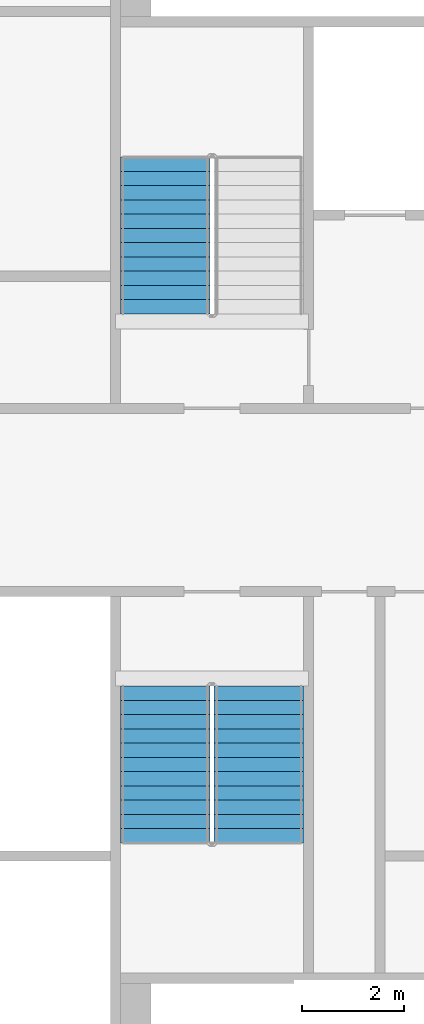
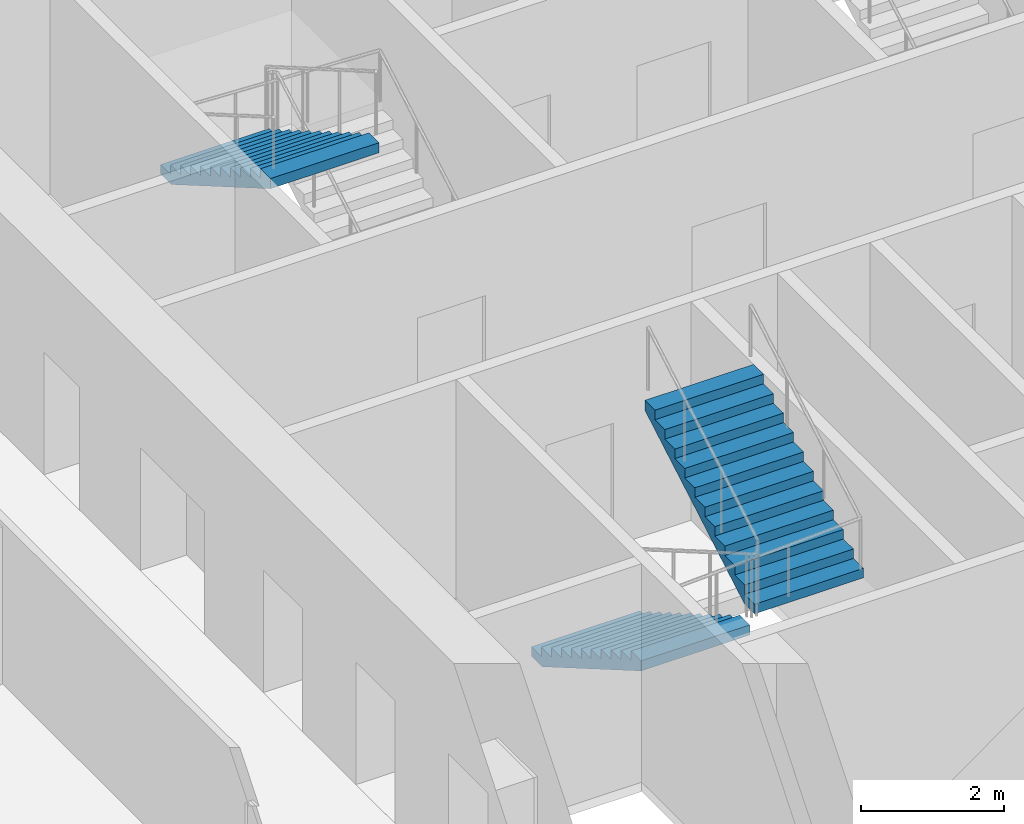
# One storey, part 15 of 23: 3 stair flights, 2 elements without a shape of their own.
"""IFC4 building model written with IfcOpenShell, lengths in metres."""

from ifc_helpers import new_model, si_unit, direction, frame, origin, place, context, subcontext, project, spatial, faceted_brep, material, type_object, element, aggregate, save


model = new_model("IFC4")

# Units and contexts
model_context = context("Model", 3, precision=1e-05, world=origin(), true_north=direction((0.0, 1.0)))
body_context = subcontext(model_context, "Body", "Model", "MODEL_VIEW")
ifc_project = project(units=[si_unit("LENGTHUNIT", "METRE"), si_unit("AREAUNIT", "SQUARE_METRE"), si_unit("VOLUMEUNIT", "CUBIC_METRE"), si_unit("PLANEANGLEUNIT", "RADIAN"), si_unit("MASSUNIT", "GRAM", prefix="KILO")], contexts=[model_context])

# Site, building, storey
site_placement = place(None, origin())
site = spatial("IfcSite", under=ifc_project, at=site_placement, CompositionType="ELEMENT")
building_placement = place(site_placement, origin())
building = spatial("IfcBuilding", under=site, at=building_placement, Name="Tarsis Ring Headquarters", CompositionType="ELEMENT")
storey_placement = place(building_placement, frame((0.0, 0.0, 131.800048828125)))
storey = spatial("IfcBuildingStorey", under=building, at=storey_placement, Name="L30", CompositionType="ELEMENT", Elevation=131.800048828125)

# Stair, stair flight
ifc_material_1 = material(Name="Core stair 1760")
stair_type = type_object("IfcStairType", Name="Core stair 1760", PredefinedType="HALF_TURN_STAIR", material=ifc_material_1)
stair_1_placement = place(storey_placement, origin())
stair_1 = element("IfcStair", 1, at=stair_1_placement, inside=storey, type_object=stair_type, Name="L30 Firefighting stair", PredefinedType="HALF_TURN_STAIR")
ifc_material_2 = material(Name="Concrete C40/50", Category="concrete")
stair_flight_type = type_object("IfcStairFlightType", Name="Core stair flight 1760", PredefinedType="STRAIGHT", material=ifc_material_2)
stair_flight_1_placement = place(storey_placement, frame((-5.419921875, 6.739990234375, 1.949951171875), z_axis=(0.0, 0.0, 1.0), x_axis=(0.0, -1.0, 0.0)))
stair_flight_1 = element("IfcStairFlight", 2, at=stair_flight_1_placement, type_object=stair_flight_type, Name="Stair ST1 flight 2", NumberOfRisers=12, NumberOfTreads=11, PredefinedType="STRAIGHT", RiserHeight=0.1625, TreadLength=0.28, context=body_context, shape_type="Brep", body=[
    faceted_brep([(0.0, 0.8798828125, 0.0), (0.0, 0.8798828125, 0.16259765625), (0.280029296875, 0.8798828125, 0.16259765625), (0.280029296875, 0.8798828125, 0.324951171875), (0.56005859375, 0.8798828125, 0.324951171875), (0.56005859375, 0.8798828125, 0.487548828125), (0.840087890625, 0.8798828125, 0.487548828125), (0.840087890625, 0.8798828125, 0.64990234375), (1.1201171875, 0.8798828125, 0.64990234375), (1.1201171875, 0.8798828125, 0.8125), (1.39990234375, 0.8798828125, 0.8125), (1.39990234375, 0.8798828125, 0.97509765625), (1.679931640625, 0.8798828125, 0.97509765625), (1.679931640625, 0.8798828125, 1.137451171875), (1.9599609375, 0.8798828125, 1.137451171875), (1.9599609375, 0.8798828125, 1.300048828125), (2.239990234375, 0.8798828125, 1.300048828125), (2.239990234375, 0.8798828125, 1.46240234375), (2.52001953125, 0.8798828125, 1.46240234375), (2.52001953125, 0.8798828125, 1.625), (2.800048828125, 0.8798828125, 1.625), (2.800048828125, 0.8798828125, 1.78759765625), (3.080078125, 0.8798828125, 1.78759765625), (3.080078125, 0.8798828125, 1.6142578125), (0.298583984375, 0.8798828125, 0.0), (0.298583984375, -0.8798828125, 0.0), (3.080078125, -0.8798828125, 1.6142578125), (3.080078125, -0.8798828125, 1.78759765625), (2.800048828125, -0.8798828125, 1.78759765625), (2.800048828125, -0.8798828125, 1.625), (2.52001953125, -0.8798828125, 1.625), (2.52001953125, -0.8798828125, 1.46240234375), (2.239990234375, -0.8798828125, 1.46240234375), (2.239990234375, -0.8798828125, 1.300048828125), (1.9599609375, -0.8798828125, 1.300048828125), (1.9599609375, -0.8798828125, 1.137451171875), (1.679931640625, -0.8798828125, 1.137451171875), (1.679931640625, -0.8798828125, 0.97509765625), (1.39990234375, -0.8798828125, 0.97509765625), (1.39990234375, -0.8798828125, 0.8125), (1.1201171875, -0.8798828125, 0.8125), (1.1201171875, -0.8798828125, 0.64990234375), (0.840087890625, -0.8798828125, 0.64990234375), (0.840087890625, -0.8798828125, 0.487548828125), (0.56005859375, -0.8798828125, 0.487548828125), (0.56005859375, -0.8798828125, 0.324951171875), (0.280029296875, -0.8798828125, 0.324951171875), (0.280029296875, -0.8798828125, 0.16259765625), (0.0, -0.8798828125, 0.16259765625), (0.0, -0.8798828125, 0.0), (0.0, -0.43994140625, 0.16259765625), (0.0, -0.43994140625, 0.0), (0.0, 0.0, 0.16259765625), (0.0, 0.0, 0.0), (0.0, 0.43994140625, 0.16259765625), (0.0, 0.43994140625, 0.0), (0.280029296875, -0.43994140625, 0.16259765625), (0.280029296875, 0.0, 0.16259765625), (0.280029296875, 0.43994140625, 0.16259765625), (0.280029296875, -0.43994140625, 0.324951171875), (0.280029296875, 0.0, 0.324951171875), (0.280029296875, 0.43994140625, 0.324951171875), (0.56005859375, -0.43994140625, 0.324951171875), (0.56005859375, 0.0, 0.324951171875), (0.56005859375, 0.43994140625, 0.324951171875), (0.56005859375, -0.43994140625, 0.487548828125), (0.56005859375, 0.0, 0.487548828125), (0.56005859375, 0.43994140625, 0.487548828125), (0.840087890625, -0.43994140625, 0.487548828125), (0.840087890625, 0.0, 0.487548828125), (0.840087890625, 0.43994140625, 0.487548828125), (0.840087890625, -0.43994140625, 0.64990234375), (0.840087890625, 0.0, 0.64990234375), (0.840087890625, 0.43994140625, 0.64990234375), (1.1201171875, -0.43994140625, 0.64990234375), (1.1201171875, 0.0, 0.64990234375), (1.1201171875, 0.43994140625, 0.64990234375), (1.1201171875, -0.43994140625, 0.8125), (1.1201171875, 0.0, 0.8125), (1.1201171875, 0.43994140625, 0.8125), (1.39990234375, -0.43994140625, 0.8125), (1.39990234375, 0.0, 0.8125), (1.39990234375, 0.43994140625, 0.8125), (1.39990234375, -0.43994140625, 0.97509765625), (1.39990234375, 0.0, 0.97509765625), (1.39990234375, 0.43994140625, 0.97509765625), (1.679931640625, -0.43994140625, 0.97509765625), (1.679931640625, 0.0, 0.97509765625), (1.679931640625, 0.43994140625, 0.97509765625), (1.679931640625, -0.43994140625, 1.137451171875), (1.679931640625, 0.0, 1.137451171875), (1.679931640625, 0.43994140625, 1.137451171875), (1.9599609375, -0.43994140625, 1.137451171875), (1.9599609375, 0.0, 1.137451171875), (1.9599609375, 0.43994140625, 1.137451171875), (1.9599609375, -0.43994140625, 1.300048828125), (1.9599609375, 0.0, 1.300048828125), (1.9599609375, 0.43994140625, 1.300048828125), (2.239990234375, -0.43994140625, 1.300048828125), (2.239990234375, 0.0, 1.300048828125), (2.239990234375, 0.43994140625, 1.300048828125), (2.239990234375, -0.43994140625, 1.46240234375), (2.239990234375, 0.0, 1.46240234375), (2.239990234375, 0.43994140625, 1.46240234375), (2.52001953125, -0.43994140625, 1.46240234375), (2.52001953125, 0.0, 1.46240234375), (2.52001953125, 0.43994140625, 1.46240234375), (2.52001953125, -0.43994140625, 1.625), (2.52001953125, 0.0, 1.625), (2.52001953125, 0.43994140625, 1.625), (2.800048828125, -0.43994140625, 1.625), (2.800048828125, 0.0, 1.625), (2.800048828125, 0.43994140625, 1.625), (2.800048828125, -0.43994140625, 1.78759765625), (2.800048828125, 0.0, 1.78759765625), (2.800048828125, 0.43994140625, 1.78759765625), (3.080078125, -0.43994140625, 1.78759765625), (3.080078125, 0.0, 1.78759765625), (3.080078125, 0.43994140625, 1.78759765625), (3.080078125, -0.43994140625, 1.6142578125), (3.080078125, 0.0, 1.6142578125), (3.080078125, 0.43994140625, 1.6142578125), (0.298583984375, -0.43994140625, 0.0), (0.298583984375, 0.0, 0.0), (0.298583984375, 0.43994140625, 0.0)], [[[0, 1, 2, 3, 4, 5, 6, 7, 8, 9, 10, 11, 12, 13, 14, 15, 16, 17, 18, 19, 20, 21, 22, 23, 24]], [[25, 26, 27, 28, 29, 30, 31, 32, 33, 34, 35, 36, 37, 38, 39, 40, 41, 42, 43, 44, 45, 46, 47, 48, 49]], [[49, 48, 50, 51]], [[51, 50, 52, 53]], [[53, 52, 54, 55]], [[55, 54, 1, 0]], [[48, 47, 56, 50]], [[50, 56, 57, 52]], [[52, 57, 58, 54]], [[54, 58, 2, 1]], [[47, 46, 59, 56]], [[56, 59, 60, 57]], [[57, 60, 61, 58]], [[58, 61, 3, 2]], [[46, 45, 62, 59]], [[59, 62, 63, 60]], [[60, 63, 64, 61]], [[61, 64, 4, 3]], [[45, 44, 65, 62]], [[62, 65, 66, 63]], [[63, 66, 67, 64]], [[64, 67, 5, 4]], [[44, 43, 68, 65]], [[65, 68, 69, 66]], [[66, 69, 70, 67]], [[67, 70, 6, 5]], [[43, 42, 71, 68]], [[68, 71, 72, 69]], [[69, 72, 73, 70]], [[70, 73, 7, 6]], [[42, 41, 74, 71]], [[71, 74, 75, 72]], [[72, 75, 76, 73]], [[73, 76, 8, 7]], [[41, 40, 77, 74]], [[74, 77, 78, 75]], [[75, 78, 79, 76]], [[76, 79, 9, 8]], [[40, 39, 80, 77]], [[77, 80, 81, 78]], [[78, 81, 82, 79]], [[79, 82, 10, 9]], [[39, 38, 83, 80]], [[80, 83, 84, 81]], [[81, 84, 85, 82]], [[82, 85, 11, 10]], [[38, 37, 86, 83]], [[83, 86, 87, 84]], [[84, 87, 88, 85]], [[85, 88, 12, 11]], [[37, 36, 89, 86]], [[86, 89, 90, 87]], [[87, 90, 91, 88]], [[88, 91, 13, 12]], [[36, 35, 92, 89]], [[89, 92, 93, 90]], [[90, 93, 94, 91]], [[91, 94, 14, 13]], [[35, 34, 95, 92]], [[92, 95, 96, 93]], [[93, 96, 97, 94]], [[94, 97, 15, 14]], [[34, 33, 98, 95]], [[95, 98, 99, 96]], [[96, 99, 100, 97]], [[97, 100, 16, 15]], [[33, 32, 101, 98]], [[98, 101, 102, 99]], [[99, 102, 103, 100]], [[100, 103, 17, 16]], [[32, 31, 104, 101]], [[101, 104, 105, 102]], [[102, 105, 106, 103]], [[103, 106, 18, 17]], [[31, 30, 107, 104]], [[104, 107, 108, 105]], [[105, 108, 109, 106]], [[106, 109, 19, 18]], [[30, 29, 110, 107]], [[107, 110, 111, 108]], [[108, 111, 112, 109]], [[109, 112, 20, 19]], [[29, 28, 113, 110]], [[110, 113, 114, 111]], [[111, 114, 115, 112]], [[112, 115, 21, 20]], [[28, 27, 116, 113]], [[113, 116, 117, 114]], [[114, 117, 118, 115]], [[115, 118, 22, 21]], [[27, 26, 119, 116]], [[116, 119, 120, 117]], [[117, 120, 121, 118]], [[118, 121, 23, 22]], [[26, 25, 122, 119]], [[119, 122, 123, 120]], [[120, 123, 124, 121]], [[121, 124, 24, 23]], [[25, 49, 51, 122]], [[122, 51, 53, 123]], [[123, 53, 55, 124]], [[124, 55, 0, 24]]]),
])
aggregate(stair_1, [stair_flight_1])

# Stair, stair flights
stair_2_placement = place(storey_placement, origin())
stair_2 = element("IfcStair", 3, at=stair_2_placement, inside=storey, type_object=stair_type, Name="L30 Exit stair C", PredefinedType="HALF_TURN_STAIR")
stair_flight_2_placement = place(storey_placement, frame((-5.419921875, -3.659912109375, 0.0), z_axis=(0.0, 0.0, 1.0), x_axis=(0.0, -1.0, 0.0)))
stair_flight_2 = element("IfcStairFlight", 4, at=stair_flight_2_placement, type_object=stair_flight_type, Name="Stair ST3 flight 1", NumberOfRisers=12, NumberOfTreads=11, PredefinedType="STRAIGHT", RiserHeight=0.1625, TreadLength=0.28, context=body_context, shape_type="Brep", body=[
    faceted_brep([(0.0, 0.8798828125, 0.0), (0.0, 0.8798828125, 0.16259765625), (0.280029296875, 0.8798828125, 0.16259765625), (0.280029296875, 0.8798828125, 0.324951171875), (0.56005859375, 0.8798828125, 0.324951171875), (0.56005859375, 0.8798828125, 0.487548828125), (0.840087890625, 0.8798828125, 0.487548828125), (0.840087890625, 0.8798828125, 0.64990234375), (1.1201171875, 0.8798828125, 0.64990234375), (1.1201171875, 0.8798828125, 0.8125), (1.39990234375, 0.8798828125, 0.8125), (1.39990234375, 0.8798828125, 0.97509765625), (1.679931640625, 0.8798828125, 0.97509765625), (1.679931640625, 0.8798828125, 1.137451171875), (1.9599609375, 0.8798828125, 1.137451171875), (1.9599609375, 0.8798828125, 1.300048828125), (2.239990234375, 0.8798828125, 1.300048828125), (2.239990234375, 0.8798828125, 1.46240234375), (2.52001953125, 0.8798828125, 1.46240234375), (2.52001953125, 0.8798828125, 1.625), (2.800048828125, 0.8798828125, 1.625), (2.800048828125, 0.8798828125, 1.78759765625), (3.080078125, 0.8798828125, 1.78759765625), (3.080078125, 0.8798828125, 1.6142578125), (0.298583984375, 0.8798828125, 0.0), (0.298583984375, -0.8798828125, 0.0), (3.080078125, -0.8798828125, 1.6142578125), (3.080078125, -0.8798828125, 1.78759765625), (2.800048828125, -0.8798828125, 1.78759765625), (2.800048828125, -0.8798828125, 1.625), (2.52001953125, -0.8798828125, 1.625), (2.52001953125, -0.8798828125, 1.46240234375), (2.239990234375, -0.8798828125, 1.46240234375), (2.239990234375, -0.8798828125, 1.300048828125), (1.9599609375, -0.8798828125, 1.300048828125), (1.9599609375, -0.8798828125, 1.137451171875), (1.679931640625, -0.8798828125, 1.137451171875), (1.679931640625, -0.8798828125, 0.97509765625), (1.39990234375, -0.8798828125, 0.97509765625), (1.39990234375, -0.8798828125, 0.8125), (1.1201171875, -0.8798828125, 0.8125), (1.1201171875, -0.8798828125, 0.64990234375), (0.840087890625, -0.8798828125, 0.64990234375), (0.840087890625, -0.8798828125, 0.487548828125), (0.56005859375, -0.8798828125, 0.487548828125), (0.56005859375, -0.8798828125, 0.324951171875), (0.280029296875, -0.8798828125, 0.324951171875), (0.280029296875, -0.8798828125, 0.16259765625), (0.0, -0.8798828125, 0.16259765625), (0.0, -0.8798828125, 0.0), (0.0, -0.43994140625, 0.16259765625), (0.0, -0.43994140625, 0.0), (0.0, 0.0, 0.16259765625), (0.0, 0.0, 0.0), (0.0, 0.43994140625, 0.16259765625), (0.0, 0.43994140625, 0.0), (0.280029296875, -0.43994140625, 0.16259765625), (0.280029296875, 0.0, 0.16259765625), (0.280029296875, 0.43994140625, 0.16259765625), (0.280029296875, -0.43994140625, 0.324951171875), (0.280029296875, 0.0, 0.324951171875), (0.280029296875, 0.43994140625, 0.324951171875), (0.56005859375, -0.43994140625, 0.324951171875), (0.56005859375, 0.0, 0.324951171875), (0.56005859375, 0.43994140625, 0.324951171875), (0.56005859375, -0.43994140625, 0.487548828125), (0.56005859375, 0.0, 0.487548828125), (0.56005859375, 0.43994140625, 0.487548828125), (0.840087890625, -0.43994140625, 0.487548828125), (0.840087890625, 0.0, 0.487548828125), (0.840087890625, 0.43994140625, 0.487548828125), (0.840087890625, -0.43994140625, 0.64990234375), (0.840087890625, 0.0, 0.64990234375), (0.840087890625, 0.43994140625, 0.64990234375), (1.1201171875, -0.43994140625, 0.64990234375), (1.1201171875, 0.0, 0.64990234375), (1.1201171875, 0.43994140625, 0.64990234375), (1.1201171875, -0.43994140625, 0.8125), (1.1201171875, 0.0, 0.8125), (1.1201171875, 0.43994140625, 0.8125), (1.39990234375, -0.43994140625, 0.8125), (1.39990234375, 0.0, 0.8125), (1.39990234375, 0.43994140625, 0.8125), (1.39990234375, -0.43994140625, 0.97509765625), (1.39990234375, 0.0, 0.97509765625), (1.39990234375, 0.43994140625, 0.97509765625), (1.679931640625, -0.43994140625, 0.97509765625), (1.679931640625, 0.0, 0.97509765625), (1.679931640625, 0.43994140625, 0.97509765625), (1.679931640625, -0.43994140625, 1.137451171875), (1.679931640625, 0.0, 1.137451171875), (1.679931640625, 0.43994140625, 1.137451171875), (1.9599609375, -0.43994140625, 1.137451171875), (1.9599609375, 0.0, 1.137451171875), (1.9599609375, 0.43994140625, 1.137451171875), (1.9599609375, -0.43994140625, 1.300048828125), (1.9599609375, 0.0, 1.300048828125), (1.9599609375, 0.43994140625, 1.300048828125), (2.239990234375, -0.43994140625, 1.300048828125), (2.239990234375, 0.0, 1.300048828125), (2.239990234375, 0.43994140625, 1.300048828125), (2.239990234375, -0.43994140625, 1.46240234375), (2.239990234375, 0.0, 1.46240234375), (2.239990234375, 0.43994140625, 1.46240234375), (2.52001953125, -0.43994140625, 1.46240234375), (2.52001953125, 0.0, 1.46240234375), (2.52001953125, 0.43994140625, 1.46240234375), (2.52001953125, -0.43994140625, 1.625), (2.52001953125, 0.0, 1.625), (2.52001953125, 0.43994140625, 1.625), (2.800048828125, -0.43994140625, 1.625), (2.800048828125, 0.0, 1.625), (2.800048828125, 0.43994140625, 1.625), (2.800048828125, -0.43994140625, 1.78759765625), (2.800048828125, 0.0, 1.78759765625), (2.800048828125, 0.43994140625, 1.78759765625), (3.080078125, -0.43994140625, 1.78759765625), (3.080078125, 0.0, 1.78759765625), (3.080078125, 0.43994140625, 1.78759765625), (3.080078125, -0.43994140625, 1.6142578125), (3.080078125, 0.0, 1.6142578125), (3.080078125, 0.43994140625, 1.6142578125), (0.298583984375, -0.43994140625, 0.0), (0.298583984375, 0.0, 0.0), (0.298583984375, 0.43994140625, 0.0)], [[[0, 1, 2, 3, 4, 5, 6, 7, 8, 9, 10, 11, 12, 13, 14, 15, 16, 17, 18, 19, 20, 21, 22, 23, 24]], [[25, 26, 27, 28, 29, 30, 31, 32, 33, 34, 35, 36, 37, 38, 39, 40, 41, 42, 43, 44, 45, 46, 47, 48, 49]], [[49, 48, 50, 51]], [[51, 50, 52, 53]], [[53, 52, 54, 55]], [[55, 54, 1, 0]], [[48, 47, 56, 50]], [[50, 56, 57, 52]], [[52, 57, 58, 54]], [[54, 58, 2, 1]], [[47, 46, 59, 56]], [[56, 59, 60, 57]], [[57, 60, 61, 58]], [[58, 61, 3, 2]], [[46, 45, 62, 59]], [[59, 62, 63, 60]], [[60, 63, 64, 61]], [[61, 64, 4, 3]], [[45, 44, 65, 62]], [[62, 65, 66, 63]], [[63, 66, 67, 64]], [[64, 67, 5, 4]], [[44, 43, 68, 65]], [[65, 68, 69, 66]], [[66, 69, 70, 67]], [[67, 70, 6, 5]], [[43, 42, 71, 68]], [[68, 71, 72, 69]], [[69, 72, 73, 70]], [[70, 73, 7, 6]], [[42, 41, 74, 71]], [[71, 74, 75, 72]], [[72, 75, 76, 73]], [[73, 76, 8, 7]], [[41, 40, 77, 74]], [[74, 77, 78, 75]], [[75, 78, 79, 76]], [[76, 79, 9, 8]], [[40, 39, 80, 77]], [[77, 80, 81, 78]], [[78, 81, 82, 79]], [[79, 82, 10, 9]], [[39, 38, 83, 80]], [[80, 83, 84, 81]], [[81, 84, 85, 82]], [[82, 85, 11, 10]], [[38, 37, 86, 83]], [[83, 86, 87, 84]], [[84, 87, 88, 85]], [[85, 88, 12, 11]], [[37, 36, 89, 86]], [[86, 89, 90, 87]], [[87, 90, 91, 88]], [[88, 91, 13, 12]], [[36, 35, 92, 89]], [[89, 92, 93, 90]], [[90, 93, 94, 91]], [[91, 94, 14, 13]], [[35, 34, 95, 92]], [[92, 95, 96, 93]], [[93, 96, 97, 94]], [[94, 97, 15, 14]], [[34, 33, 98, 95]], [[95, 98, 99, 96]], [[96, 99, 100, 97]], [[97, 100, 16, 15]], [[33, 32, 101, 98]], [[98, 101, 102, 99]], [[99, 102, 103, 100]], [[100, 103, 17, 16]], [[32, 31, 104, 101]], [[101, 104, 105, 102]], [[102, 105, 106, 103]], [[103, 106, 18, 17]], [[31, 30, 107, 104]], [[104, 107, 108, 105]], [[105, 108, 109, 106]], [[106, 109, 19, 18]], [[30, 29, 110, 107]], [[107, 110, 111, 108]], [[108, 111, 112, 109]], [[109, 112, 20, 19]], [[29, 28, 113, 110]], [[110, 113, 114, 111]], [[111, 114, 115, 112]], [[112, 115, 21, 20]], [[28, 27, 116, 113]], [[113, 116, 117, 114]], [[114, 117, 118, 115]], [[115, 118, 22, 21]], [[27, 26, 119, 116]], [[116, 119, 120, 117]], [[117, 120, 121, 118]], [[118, 121, 23, 22]], [[26, 25, 122, 119]], [[119, 122, 123, 120]], [[120, 123, 124, 121]], [[121, 124, 24, 23]], [[25, 49, 51, 122]], [[122, 51, 53, 123]], [[123, 53, 55, 124]], [[124, 55, 0, 24]]]),
])
stair_flight_3_placement = place(storey_placement, frame((-3.580078125, -6.739990234375, 1.949951171875), z_axis=(0.0, 0.0, 1.0), x_axis=(0.0, 1.0, 0.0)))
stair_flight_3 = element("IfcStairFlight", 5, at=stair_flight_3_placement, type_object=stair_flight_type, Name="Stair ST3 flight 2", NumberOfRisers=12, NumberOfTreads=11, PredefinedType="STRAIGHT", RiserHeight=0.1625, TreadLength=0.28, context=body_context, shape_type="Brep", body=[
    faceted_brep([(0.0, 0.8798828125, 0.0), (0.0, 0.8798828125, 0.16259765625), (0.280029296875, 0.8798828125, 0.16259765625), (0.280029296875, 0.8798828125, 0.324951171875), (0.56005859375, 0.8798828125, 0.324951171875), (0.56005859375, 0.8798828125, 0.487548828125), (0.840087890625, 0.8798828125, 0.487548828125), (0.840087890625, 0.8798828125, 0.64990234375), (1.1201171875, 0.8798828125, 0.64990234375), (1.1201171875, 0.8798828125, 0.8125), (1.39990234375, 0.8798828125, 0.8125), (1.39990234375, 0.8798828125, 0.97509765625), (1.679931640625, 0.8798828125, 0.97509765625), (1.679931640625, 0.8798828125, 1.137451171875), (1.9599609375, 0.8798828125, 1.137451171875), (1.9599609375, 0.8798828125, 1.300048828125), (2.239990234375, 0.8798828125, 1.300048828125), (2.239990234375, 0.8798828125, 1.46240234375), (2.52001953125, 0.8798828125, 1.46240234375), (2.52001953125, 0.8798828125, 1.625), (2.800048828125, 0.8798828125, 1.625), (2.800048828125, 0.8798828125, 1.78759765625), (3.080078125, 0.8798828125, 1.78759765625), (3.080078125, 0.8798828125, 1.6142578125), (0.298583984375, 0.8798828125, 0.0), (0.298583984375, -0.8798828125, 0.0), (3.080078125, -0.8798828125, 1.6142578125), (3.080078125, -0.8798828125, 1.78759765625), (2.800048828125, -0.8798828125, 1.78759765625), (2.800048828125, -0.8798828125, 1.625), (2.52001953125, -0.8798828125, 1.625), (2.52001953125, -0.8798828125, 1.46240234375), (2.239990234375, -0.8798828125, 1.46240234375), (2.239990234375, -0.8798828125, 1.300048828125), (1.9599609375, -0.8798828125, 1.300048828125), (1.9599609375, -0.8798828125, 1.137451171875), (1.679931640625, -0.8798828125, 1.137451171875), (1.679931640625, -0.8798828125, 0.97509765625), (1.39990234375, -0.8798828125, 0.97509765625), (1.39990234375, -0.8798828125, 0.8125), (1.1201171875, -0.8798828125, 0.8125), (1.1201171875, -0.8798828125, 0.64990234375), (0.840087890625, -0.8798828125, 0.64990234375), (0.840087890625, -0.8798828125, 0.487548828125), (0.56005859375, -0.8798828125, 0.487548828125), (0.56005859375, -0.8798828125, 0.324951171875), (0.280029296875, -0.8798828125, 0.324951171875), (0.280029296875, -0.8798828125, 0.16259765625), (0.0, -0.8798828125, 0.16259765625), (0.0, -0.8798828125, 0.0), (0.0, -0.43994140625, 0.16259765625), (0.0, -0.43994140625, 0.0), (0.0, 0.0, 0.16259765625), (0.0, 0.0, 0.0), (0.0, 0.43994140625, 0.16259765625), (0.0, 0.43994140625, 0.0), (0.280029296875, -0.43994140625, 0.16259765625), (0.280029296875, 0.0, 0.16259765625), (0.280029296875, 0.43994140625, 0.16259765625), (0.280029296875, -0.43994140625, 0.324951171875), (0.280029296875, 0.0, 0.324951171875), (0.280029296875, 0.43994140625, 0.324951171875), (0.56005859375, -0.43994140625, 0.324951171875), (0.56005859375, 0.0, 0.324951171875), (0.56005859375, 0.43994140625, 0.324951171875), (0.56005859375, -0.43994140625, 0.487548828125), (0.56005859375, 0.0, 0.487548828125), (0.56005859375, 0.43994140625, 0.487548828125), (0.840087890625, -0.43994140625, 0.487548828125), (0.840087890625, 0.0, 0.487548828125), (0.840087890625, 0.43994140625, 0.487548828125), (0.840087890625, -0.43994140625, 0.64990234375), (0.840087890625, 0.0, 0.64990234375), (0.840087890625, 0.43994140625, 0.64990234375), (1.1201171875, -0.43994140625, 0.64990234375), (1.1201171875, 0.0, 0.64990234375), (1.1201171875, 0.43994140625, 0.64990234375), (1.1201171875, -0.43994140625, 0.8125), (1.1201171875, 0.0, 0.8125), (1.1201171875, 0.43994140625, 0.8125), (1.39990234375, -0.43994140625, 0.8125), (1.39990234375, 0.0, 0.8125), (1.39990234375, 0.43994140625, 0.8125), (1.39990234375, -0.43994140625, 0.97509765625), (1.39990234375, 0.0, 0.97509765625), (1.39990234375, 0.43994140625, 0.97509765625), (1.679931640625, -0.43994140625, 0.97509765625), (1.679931640625, 0.0, 0.97509765625), (1.679931640625, 0.43994140625, 0.97509765625), (1.679931640625, -0.43994140625, 1.137451171875), (1.679931640625, 0.0, 1.137451171875), (1.679931640625, 0.43994140625, 1.137451171875), (1.9599609375, -0.43994140625, 1.137451171875), (1.9599609375, 0.0, 1.137451171875), (1.9599609375, 0.43994140625, 1.137451171875), (1.9599609375, -0.43994140625, 1.300048828125), (1.9599609375, 0.0, 1.300048828125), (1.9599609375, 0.43994140625, 1.300048828125), (2.239990234375, -0.43994140625, 1.300048828125), (2.239990234375, 0.0, 1.300048828125), (2.239990234375, 0.43994140625, 1.300048828125), (2.239990234375, -0.43994140625, 1.46240234375), (2.239990234375, 0.0, 1.46240234375), (2.239990234375, 0.43994140625, 1.46240234375), (2.52001953125, -0.43994140625, 1.46240234375), (2.52001953125, 0.0, 1.46240234375), (2.52001953125, 0.43994140625, 1.46240234375), (2.52001953125, -0.43994140625, 1.625), (2.52001953125, 0.0, 1.625), (2.52001953125, 0.43994140625, 1.625), (2.800048828125, -0.43994140625, 1.625), (2.800048828125, 0.0, 1.625), (2.800048828125, 0.43994140625, 1.625), (2.800048828125, -0.43994140625, 1.78759765625), (2.800048828125, 0.0, 1.78759765625), (2.800048828125, 0.43994140625, 1.78759765625), (3.080078125, -0.43994140625, 1.78759765625), (3.080078125, 0.0, 1.78759765625), (3.080078125, 0.43994140625, 1.78759765625), (3.080078125, -0.43994140625, 1.6142578125), (3.080078125, 0.0, 1.6142578125), (3.080078125, 0.43994140625, 1.6142578125), (0.298583984375, -0.43994140625, 0.0), (0.298583984375, 0.0, 0.0), (0.298583984375, 0.43994140625, 0.0)], [[[0, 1, 2, 3, 4, 5, 6, 7, 8, 9, 10, 11, 12, 13, 14, 15, 16, 17, 18, 19, 20, 21, 22, 23, 24]], [[25, 26, 27, 28, 29, 30, 31, 32, 33, 34, 35, 36, 37, 38, 39, 40, 41, 42, 43, 44, 45, 46, 47, 48, 49]], [[49, 48, 50, 51]], [[51, 50, 52, 53]], [[53, 52, 54, 55]], [[55, 54, 1, 0]], [[48, 47, 56, 50]], [[50, 56, 57, 52]], [[52, 57, 58, 54]], [[54, 58, 2, 1]], [[47, 46, 59, 56]], [[56, 59, 60, 57]], [[57, 60, 61, 58]], [[58, 61, 3, 2]], [[46, 45, 62, 59]], [[59, 62, 63, 60]], [[60, 63, 64, 61]], [[61, 64, 4, 3]], [[45, 44, 65, 62]], [[62, 65, 66, 63]], [[63, 66, 67, 64]], [[64, 67, 5, 4]], [[44, 43, 68, 65]], [[65, 68, 69, 66]], [[66, 69, 70, 67]], [[67, 70, 6, 5]], [[43, 42, 71, 68]], [[68, 71, 72, 69]], [[69, 72, 73, 70]], [[70, 73, 7, 6]], [[42, 41, 74, 71]], [[71, 74, 75, 72]], [[72, 75, 76, 73]], [[73, 76, 8, 7]], [[41, 40, 77, 74]], [[74, 77, 78, 75]], [[75, 78, 79, 76]], [[76, 79, 9, 8]], [[40, 39, 80, 77]], [[77, 80, 81, 78]], [[78, 81, 82, 79]], [[79, 82, 10, 9]], [[39, 38, 83, 80]], [[80, 83, 84, 81]], [[81, 84, 85, 82]], [[82, 85, 11, 10]], [[38, 37, 86, 83]], [[83, 86, 87, 84]], [[84, 87, 88, 85]], [[85, 88, 12, 11]], [[37, 36, 89, 86]], [[86, 89, 90, 87]], [[87, 90, 91, 88]], [[88, 91, 13, 12]], [[36, 35, 92, 89]], [[89, 92, 93, 90]], [[90, 93, 94, 91]], [[91, 94, 14, 13]], [[35, 34, 95, 92]], [[92, 95, 96, 93]], [[93, 96, 97, 94]], [[94, 97, 15, 14]], [[34, 33, 98, 95]], [[95, 98, 99, 96]], [[96, 99, 100, 97]], [[97, 100, 16, 15]], [[33, 32, 101, 98]], [[98, 101, 102, 99]], [[99, 102, 103, 100]], [[100, 103, 17, 16]], [[32, 31, 104, 101]], [[101, 104, 105, 102]], [[102, 105, 106, 103]], [[103, 106, 18, 17]], [[31, 30, 107, 104]], [[104, 107, 108, 105]], [[105, 108, 109, 106]], [[106, 109, 19, 18]], [[30, 29, 110, 107]], [[107, 110, 111, 108]], [[108, 111, 112, 109]], [[109, 112, 20, 19]], [[29, 28, 113, 110]], [[110, 113, 114, 111]], [[111, 114, 115, 112]], [[112, 115, 21, 20]], [[28, 27, 116, 113]], [[113, 116, 117, 114]], [[114, 117, 118, 115]], [[115, 118, 22, 21]], [[27, 26, 119, 116]], [[116, 119, 120, 117]], [[117, 120, 121, 118]], [[118, 121, 23, 22]], [[26, 25, 122, 119]], [[119, 122, 123, 120]], [[120, 123, 124, 121]], [[121, 124, 24, 23]], [[25, 49, 51, 122]], [[122, 51, 53, 123]], [[123, 53, 55, 124]], [[124, 55, 0, 24]]]),
])
aggregate(stair_2, [stair_flight_2, stair_flight_3])

save(model, "model.ifc")
